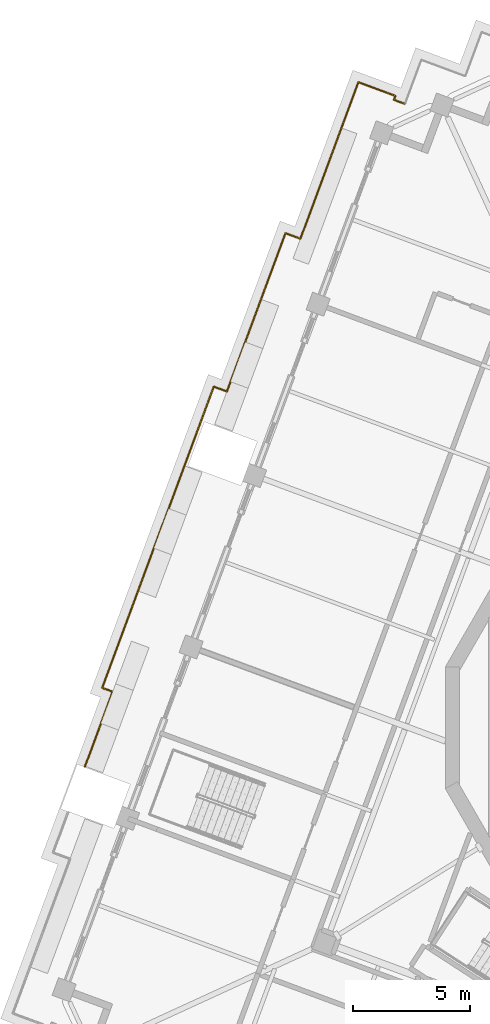
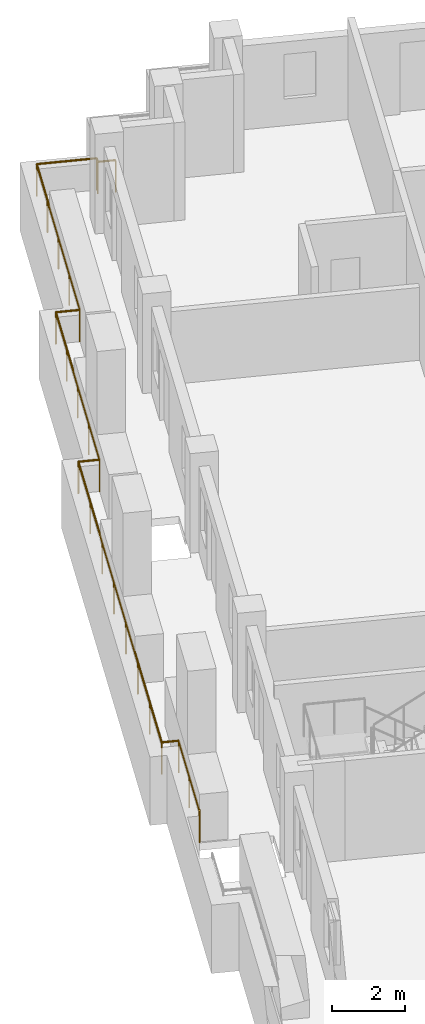
# One storey, part 15 of 18: 1 railing.
"""IFC4 building model written with IfcOpenShell, lengths in metres."""

from ifc_helpers import new_model, si_unit, direction, frame, origin, origin_2d, place, context, subcontext, project, spatial, circle, extrude, material, type_object, element, save


model = new_model("IFC4")

# Units and contexts
model_context = context("Model", 3, precision=1e-05, world=origin(), true_north=direction((0.0, 1.0)))
body_context = subcontext(model_context, "Body", "Model", "MODEL_VIEW")
ifc_project = project(units=[si_unit("LENGTHUNIT", "METRE"), si_unit("AREAUNIT", "SQUARE_METRE"), si_unit("VOLUMEUNIT", "CUBIC_METRE"), si_unit("PLANEANGLEUNIT", "RADIAN"), si_unit("MASSUNIT", "GRAM", prefix="KILO")], contexts=[model_context])

# Site, building, storey
site_placement = place(None, origin())
site = spatial("IfcSite", under=ifc_project, at=site_placement, CompositionType="ELEMENT")
building_placement = place(site_placement, origin())
building = spatial("IfcBuilding", under=site, at=building_placement, Name="Cantera Rosa Tower", CompositionType="ELEMENT")
storey_placement = place(building_placement, frame((0.0, 0.0, 338.5)))
storey = spatial("IfcBuildingStorey", under=building, at=storey_placement, Name="L76", CompositionType="ELEMENT", Elevation=338.5)

# Railing
ifc_material = material(Name="Stainless steel and laminated glass", Category="steel")
railing_type = type_object("IfcRailingType", Name="GUARD 1100", PredefinedType="BALUSTRADE", material=ifc_material)
railing_placement = place(storey_placement, frame((-25.001953125, -1.655517578125, 0.0)))
element("IfcRailing", 1, at=railing_placement, inside=storey, type_object=railing_type, Name="GUARD L76-6", PredefinedType="BALUSTRADE", context=body_context, shape_type="SweptSolid", body=[
    extrude(circle(Radius=0.030029296875, at=origin_2d()), frame((0.0, 0.0, 1.070068359375), z_axis=(0.347480264473, 0.937687296385, 0.0), x_axis=(-0.937687296385, 0.347480264473, 0.0)), (0.0, 0.0, 1.0), 3.402587890625),
    extrude(circle(Radius=0.030029296875, at=origin_2d()), frame((1.182373046875, 3.190673828125, 1.070068359375), z_axis=(-0.937767212955, 0.347264530735, 0.0), x_axis=(-0.347264530735, -0.937767212955, 0.0)), (0.0, 0.0, 1.0), 0.478759765625),
    extrude(circle(Radius=0.030029296875, at=origin_2d()), frame((0.7333984375, 3.35693359375, 1.070068359375), z_axis=(0.34749344078, 0.937682413515, 0.0), x_axis=(-0.937682413515, 0.34749344078, 0.0)), (0.0, 0.0, 1.0), 13.675048828125),
    extrude(circle(Radius=0.030029296875, at=origin_2d()), frame((5.4853515625, 16.1796875, 1.070068359375), z_axis=(0.937669639538, -0.34752790836, 0.0), x_axis=(0.34752790836, 0.937669639538, 0.0)), (0.0, 0.0, 1.0), 0.595703125),
    extrude(circle(Radius=0.030029296875, at=origin_2d()), frame((6.0439453125, 15.97265625, 1.070068359375), z_axis=(0.347485909528, 0.937685204469, 0.0), x_axis=(-0.937685204469, 0.347485909528, 0.0)), (0.0, 0.0, 1.0), 7.18408203125),
    extrude(circle(Radius=0.030029296875, at=origin_2d()), frame((8.540283203125, 22.708984375, 1.070068359375), z_axis=(0.937718232789, -0.347396770127, 0.0), x_axis=(0.347396770127, 0.937718232789, 0.0)), (0.0, 0.0, 1.0), 0.67529296875),
    extrude(circle(Radius=0.030029296875, at=origin_2d()), frame((9.173583984375, 22.474365234375, 1.070068359375), z_axis=(0.347486707816, 0.93768490864, 0.0), x_axis=(-0.93768490864, 0.347486707816, 0.0)), (0.0, 0.0, 1.0), 7.1044921875),
    extrude(circle(Radius=0.030029296875, at=origin_2d()), frame((11.642333984375, 29.13623046875, 1.070068359375), z_axis=(0.937722403204, -0.347385512837, 0.0), x_axis=(0.347385512837, 0.937722403204, 0.0)), (0.0, 0.0, 1.0), 1.67626953125),
    extrude(circle(Radius=0.030029296875, at=origin_2d()), frame((13.214111328125, 28.553955078125, 1.070068359375), z_axis=(-0.347630091628, -0.937631761085, 0.0), x_axis=(0.937631761085, -0.347630091628, 0.0)), (0.0, 0.0, 1.0), 0.17626953125),
    extrude(circle(Radius=0.030029296875, at=origin_2d()), frame((13.15283203125, 28.388671875, 1.070068359375), z_axis=(0.937666302575, -0.34753691173, 0.0), x_axis=(0.34753691173, 0.937666302575, 0.0)), (0.0, 0.0, 1.0), 0.500244140625),
    extrude(circle(Radius=0.02490234375, at=origin_2d()), origin(), (0.0, 0.0, 1.0), 1.0400390625),
    extrude(circle(Radius=0.02490234375, at=origin_2d()), frame((0.59130859375, 1.59521484375, 0.0)), (0.0, 0.0, 1.0), 1.0400390625),
    extrude(circle(Radius=0.02490234375, at=origin_2d()), frame((1.182373046875, 3.190673828125, 0.0)), (0.0, 0.0, 1.0), 1.0400390625),
    extrude(circle(Radius=0.02490234375, at=origin_2d()), frame((0.7333984375, 3.35693359375, 0.0)), (0.0, 0.0, 1.0), 1.0400390625),
    extrude(circle(Radius=0.02490234375, at=origin_2d()), frame((1.412353515625, 5.188720703125, 0.0)), (0.0, 0.0, 1.0), 1.0400390625),
    extrude(circle(Radius=0.02490234375, at=origin_2d()), frame((2.091064453125, 7.0205078125, 0.0)), (0.0, 0.0, 1.0), 1.0400390625),
    extrude(circle(Radius=0.02490234375, at=origin_2d()), frame((2.77001953125, 8.852294921875, 0.0)), (0.0, 0.0, 1.0), 1.0400390625),
    extrude(circle(Radius=0.02490234375, at=origin_2d()), frame((3.44873046875, 10.684326171875, 0.0)), (0.0, 0.0, 1.0), 1.0400390625),
    extrude(circle(Radius=0.02490234375, at=origin_2d()), frame((4.127685546875, 12.51611328125, 0.0)), (0.0, 0.0, 1.0), 1.0400390625),
    extrude(circle(Radius=0.02490234375, at=origin_2d()), frame((4.806396484375, 14.347900390625, 0.0)), (0.0, 0.0, 1.0), 1.0400390625),
    extrude(circle(Radius=0.02490234375, at=origin_2d()), frame((5.4853515625, 16.1796875, 0.0)), (0.0, 0.0, 1.0), 1.0400390625),
    extrude(circle(Radius=0.02490234375, at=origin_2d()), frame((6.0439453125, 15.97265625, 0.0)), (0.0, 0.0, 1.0), 1.0400390625),
    extrude(circle(Radius=0.02490234375, at=origin_2d()), frame((6.66796875, 17.65673828125, 0.0)), (0.0, 0.0, 1.0), 1.0400390625),
    extrude(circle(Radius=0.02490234375, at=origin_2d()), frame((7.2919921875, 19.3408203125, 0.0)), (0.0, 0.0, 1.0), 1.0400390625),
    extrude(circle(Radius=0.02490234375, at=origin_2d()), frame((7.916259765625, 21.02490234375, 0.0)), (0.0, 0.0, 1.0), 1.0400390625),
    extrude(circle(Radius=0.02490234375, at=origin_2d()), frame((8.540283203125, 22.708984375, 0.0)), (0.0, 0.0, 1.0), 1.0400390625),
    extrude(circle(Radius=0.02490234375, at=origin_2d()), frame((9.173583984375, 22.474365234375, 0.0)), (0.0, 0.0, 1.0), 1.0400390625),
    extrude(circle(Radius=0.02490234375, at=origin_2d()), frame((9.790771484375, 24.139892578125, 0.0)), (0.0, 0.0, 1.0), 1.0400390625),
    extrude(circle(Radius=0.02490234375, at=origin_2d()), frame((10.407958984375, 25.80517578125, 0.0)), (0.0, 0.0, 1.0), 1.0400390625),
    extrude(circle(Radius=0.02490234375, at=origin_2d()), frame((11.025146484375, 27.470703125, 0.0)), (0.0, 0.0, 1.0), 1.0400390625),
    extrude(circle(Radius=0.02490234375, at=origin_2d()), frame((11.642333984375, 29.13623046875, 0.0)), (0.0, 0.0, 1.0), 1.0400390625),
    extrude(circle(Radius=0.02490234375, at=origin_2d()), frame((13.214111328125, 28.553955078125, 0.0)), (0.0, 0.0, 1.0), 1.0400390625),
    extrude(circle(Radius=0.02490234375, at=origin_2d()), frame((13.15283203125, 28.388671875, 0.0)), (0.0, 0.0, 1.0), 1.0400390625),
    extrude(circle(Radius=0.02490234375, at=origin_2d()), frame((13.621826171875, 28.21484375, 0.0)), (0.0, 0.0, 1.0), 1.0400390625),
])

save(model, "model.ifc")
